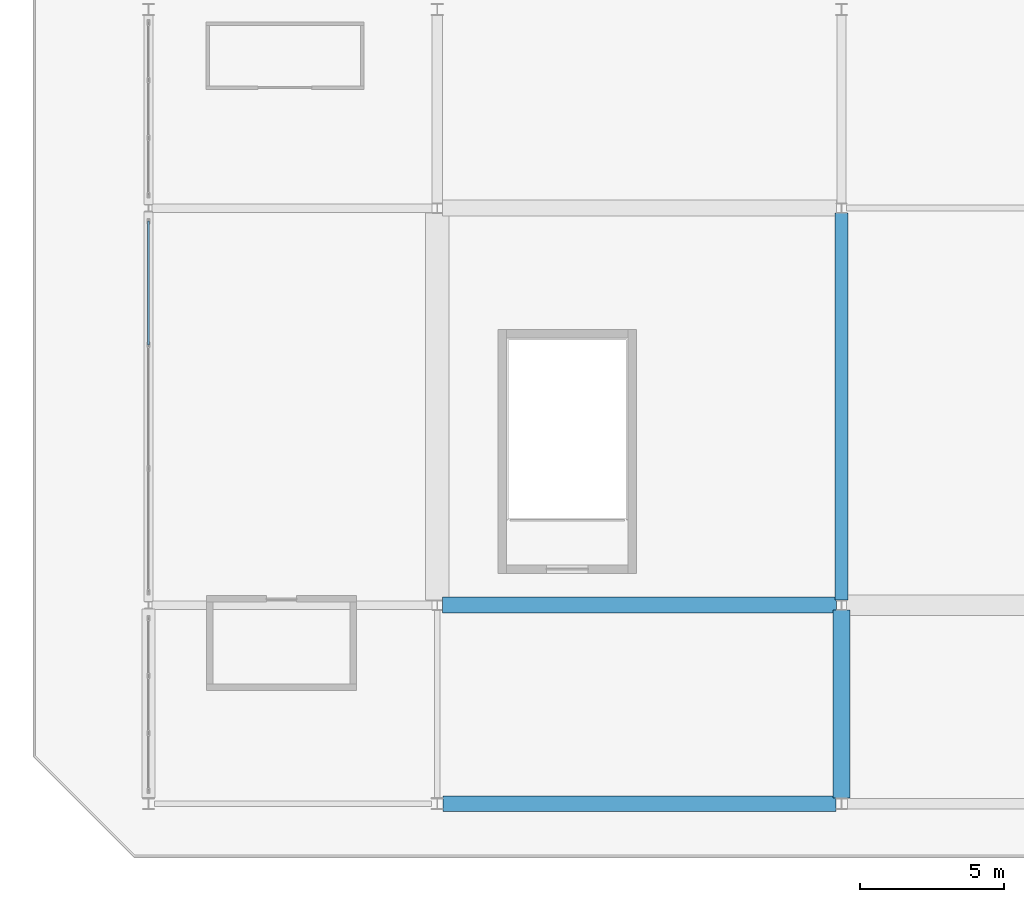
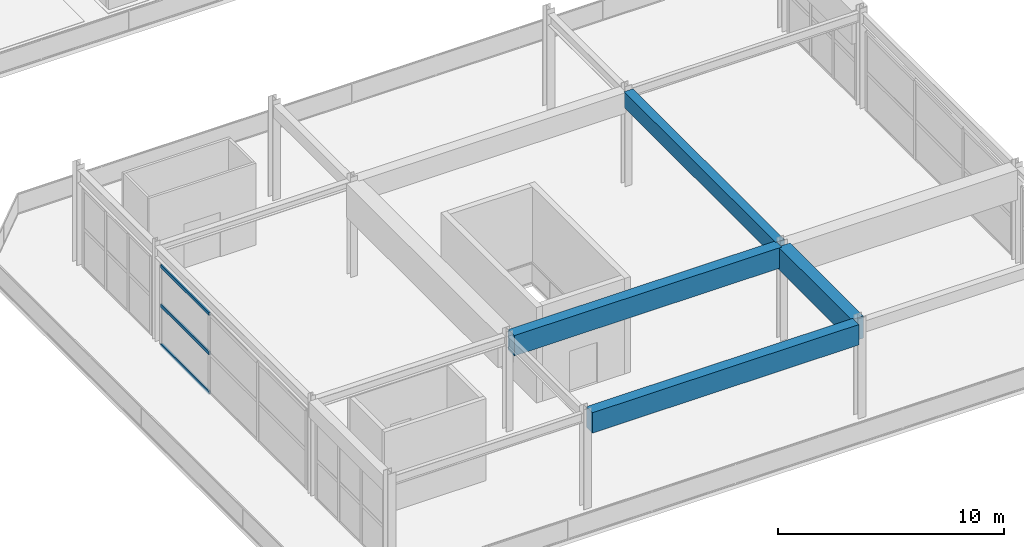
# One storey, part 24 of 117: 4 beams, 3 members, 1 element without a shape of its own.
"""IFC4 building model written with IfcOpenShell, lengths in metres."""

from ifc_helpers import new_model, si_unit, direction, frame, origin, origin_2d, place, context, subcontext, project, spatial, rectangle, hollow_rectangle, extrude, material, material_profile, profile_set, type_object, element, aggregate, save


model = new_model("IFC4")

# Units and contexts
model_context = context("Model", 3, precision=1e-05, world=origin(), true_north=direction((0.0, 1.0)))
body_context = subcontext(model_context, "Body", "Model", "MODEL_VIEW")
ifc_project = project(units=[si_unit("LENGTHUNIT", "METRE"), si_unit("AREAUNIT", "SQUARE_METRE"), si_unit("VOLUMEUNIT", "CUBIC_METRE"), si_unit("PLANEANGLEUNIT", "RADIAN"), si_unit("MASSUNIT", "GRAM", prefix="KILO")], contexts=[model_context])

# Site, building, storey
site_placement = place(None, origin())
site = spatial("IfcSite", under=ifc_project, at=site_placement, CompositionType="ELEMENT")
building_placement = place(site_placement, origin())
building = spatial("IfcBuilding", under=site, at=building_placement, Name="Linyun Crest Stadium", CompositionType="ELEMENT")
storey_placement = place(building_placement, frame((0.0, 0.0, 6.0)))
storey = spatial("IfcBuildingStorey", under=building, at=storey_placement, Name="L02", CompositionType="ELEMENT", Elevation=6.0)

# Beams
ifc_material_1 = material(Name="Concrete C40", Category="concrete")
ifc_material_profile_1 = material_profile(ifc_material_1, rectangle(XDim=0.449951171875, YDim=0.85009765625, at=origin_2d()), Name="RCB 850x450")
ifc_profile_set_1 = profile_set([ifc_material_profile_1], Name="Concrete C40")
beam_type_1 = type_object("IfcBeamType", Name="B04", PredefinedType="BEAM", material=ifc_profile_set_1)
beam_1_placement = place(storey_placement, frame((-70.0, -87.074951171875, 4.72509765625), z_axis=(0.0, 1.0, 0.0), x_axis=(-1.0, 0.0, 0.0)))
element("IfcBeam", 1, at=beam_1_placement, inside=storey, type_object=beam_type_1, Name="Frame beam B04 L02 1105", PredefinedType="BEAM", context=body_context, shape_type="SweptSolid", body=[
    extrude(rectangle(XDim=0.449951171875, YDim=0.85009765625, at=origin_2d()), origin(), (0.0, 0.0, 1.0), 13.39990234375),
])
ifc_material_2 = material(Name="Concrete C50", Category="concrete")
ifc_material_profile_2 = material_profile(ifc_material_2, rectangle(XDim=0.550048828125, YDim=1.10009765625, at=origin_2d()), Name="RCB 1100x550")
ifc_profile_set_2 = profile_set([ifc_material_profile_2], Name="Concrete C50")
beam_type_2 = type_object("IfcBeamType", Name="TB01", PredefinedType="USERDEFINED", material=ifc_profile_set_2)
beam_2_placement = place(storey_placement, frame((-83.800048828125, -94.125, 4.60009765625), z_axis=(1.0, 0.0, 0.0), x_axis=(0.0, 1.0, 0.0)))
element("IfcBeam", 2, at=beam_2_placement, inside=storey, type_object=beam_type_2, Name="Frame beam TB01 L02 1082", ObjectType="GIRDER", PredefinedType="USERDEFINED", context=body_context, shape_type="SweptSolid", body=[
    extrude(rectangle(XDim=0.550048828125, YDim=1.10009765625, at=origin_2d()), origin(), (0.0, 0.0, 1.0), 13.60009765625),
])
beam_3_placement = place(storey_placement, frame((-83.824951171875, -87.25, 4.60009765625), z_axis=(1.0, 0.0, 0.0), x_axis=(0.0, 1.0, 0.0)))
element("IfcBeam", 3, at=beam_3_placement, inside=storey, type_object=beam_type_2, Name="Frame beam TB01 L02 1088", ObjectType="GIRDER", PredefinedType="USERDEFINED", context=body_context, shape_type="SweptSolid", body=[
    extrude(rectangle(XDim=0.550048828125, YDim=1.10009765625, at=origin_2d()), origin(), (0.0, 0.0, 1.0), 13.64990234375),
])
ifc_material_3 = material(Name="Concrete C50", Category="concrete")
ifc_material_profile_3 = material_profile(ifc_material_3, rectangle(XDim=0.60009765625, YDim=1.199951171875, at=origin_2d()), Name="RCB 1200x600")
ifc_profile_set_3 = profile_set([ifc_material_profile_3], Name="Concrete C50")
beam_type_3 = type_object("IfcBeamType", Name="TB02", PredefinedType="USERDEFINED", material=ifc_profile_set_3)
beam_4_placement = place(storey_placement, frame((-70.0, -93.925048828125, 4.550048828125), z_axis=(0.0, 1.0, 0.0), x_axis=(-1.0, 0.0, 0.0)))
element("IfcBeam", 4, at=beam_4_placement, inside=storey, type_object=beam_type_3, Name="Frame beam TB02 L02 1104", ObjectType="GIRDER", PredefinedType="USERDEFINED", context=body_context, shape_type="SweptSolid", body=[
    extrude(rectangle(XDim=0.60009765625, YDim=1.199951171875, at=origin_2d()), origin(), (0.0, 0.0, 1.0), 6.5),
])

# Curtain wall, members
ifc_material_4 = material(Name="Verdigris steel and low-E curtain wall assembly", Category="steel")
curtain_wall_type = type_object("IfcCurtainWallType", Name="MCW05", PredefinedType="NOTDEFINED", material=ifc_material_4)
curtain_wall_placement = place(storey_placement, origin())
curtain_wall = element("IfcCurtainWall", 5, at=curtain_wall_placement, inside=storey, type_object=curtain_wall_type, Name="CWR-156", PredefinedType="NOTDEFINED")
ifc_material_5 = material(Name="Verdigris painted steel Q355B transom", Category="steel")
ifc_material_profile_4 = material_profile(ifc_material_5, hollow_rectangle(XDim=0.080078125, YDim=0.179931640625, WallThickness=0.006103515625, at=origin_2d()), Name="RHS 180x80x6")
ifc_profile_set_4 = profile_set([ifc_material_profile_4], Name="Verdigris painted steel Q355B transom")
member_type = type_object("IfcMemberType", Name="TR02", PredefinedType="USERDEFINED", material=ifc_profile_set_4)
member_1_placement = place(storey_placement, frame((-94.0, -78.23291015625, 0.0), z_axis=(0.0, 1.0, 0.0), x_axis=(-1.0, 0.0, 0.0)))
member_1 = element("IfcMember", 6, at=member_1_placement, type_object=member_type, Name="CWR-156 transom 3.1", ObjectType="TRANSOM", PredefinedType="USERDEFINED", context=body_context, shape_type="SweptSolid", body=[
    extrude(hollow_rectangle(XDim=0.080078125, YDim=0.179931640625, WallThickness=0.006103515625, at=origin_2d()), origin(), (0.0, 0.0, 1.0), 4.282958984375),
])
member_2_placement = place(storey_placement, frame((-94.0, -78.23291015625, 2.125), z_axis=(0.0, 1.0, 0.0), x_axis=(-1.0, 0.0, 0.0)))
member_2 = element("IfcMember", 7, at=member_2_placement, type_object=member_type, Name="CWR-156 transom 3.2", ObjectType="TRANSOM", PredefinedType="USERDEFINED", context=body_context, shape_type="SweptSolid", body=[
    extrude(hollow_rectangle(XDim=0.080078125, YDim=0.179931640625, WallThickness=0.006103515625, at=origin_2d()), origin(), (0.0, 0.0, 1.0), 4.282958984375),
])
member_3_placement = place(storey_placement, frame((-94.0, -78.23291015625, 4.25), z_axis=(0.0, 1.0, 0.0), x_axis=(-1.0, 0.0, 0.0)))
member_3 = element("IfcMember", 8, at=member_3_placement, type_object=member_type, Name="CWR-156 transom 3.3", ObjectType="TRANSOM", PredefinedType="USERDEFINED", context=body_context, shape_type="SweptSolid", body=[
    extrude(hollow_rectangle(XDim=0.080078125, YDim=0.179931640625, WallThickness=0.006103515625, at=origin_2d()), origin(), (0.0, 0.0, 1.0), 4.282958984375),
])
aggregate(curtain_wall, [member_1, member_2, member_3])

save(model, "model.ifc")
